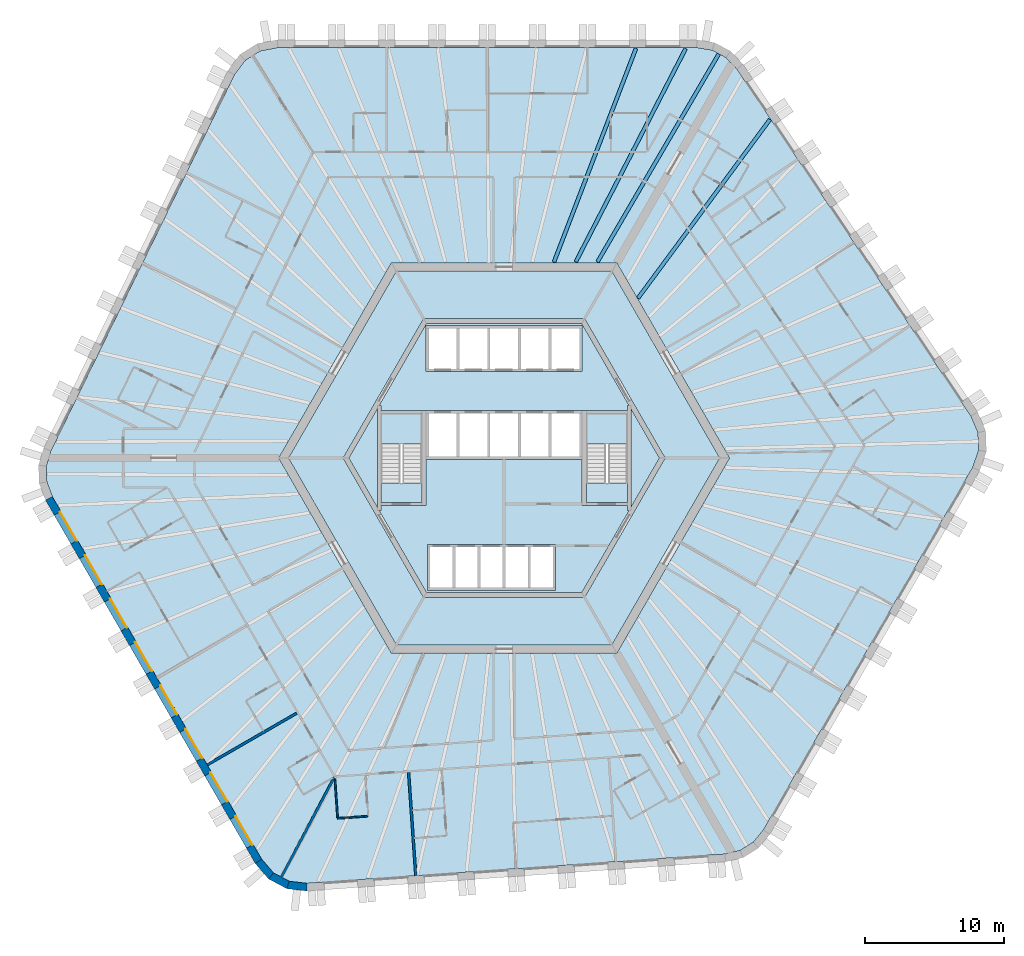
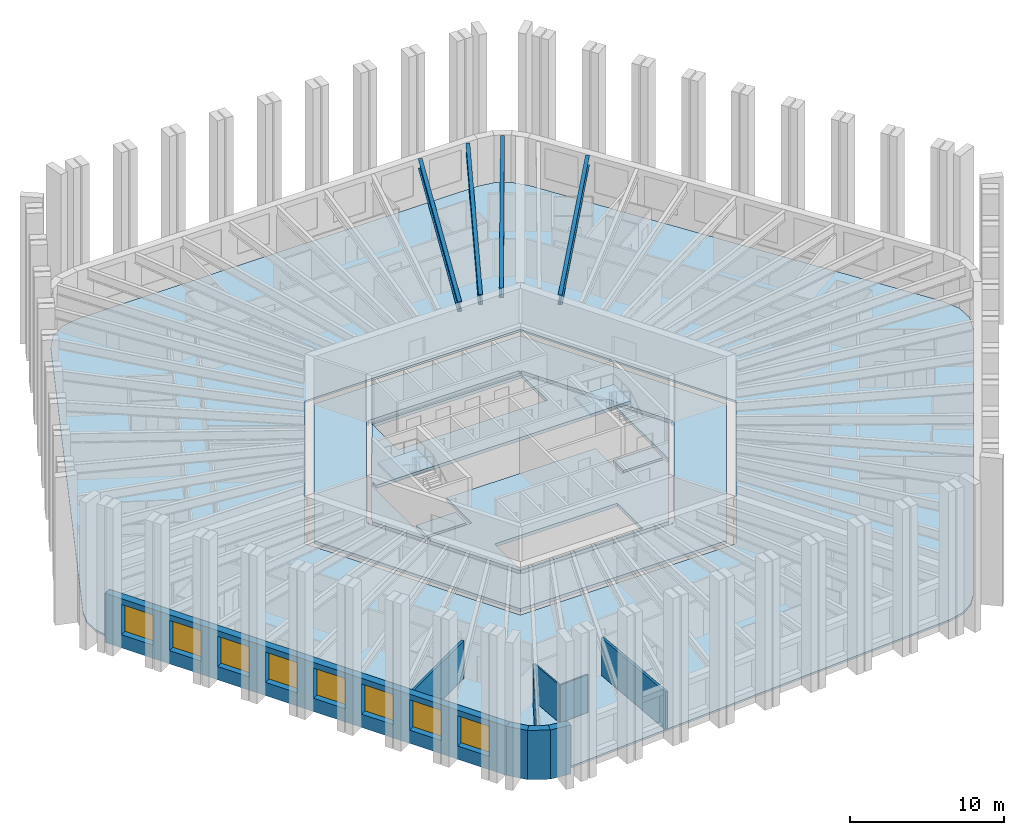
# One storey, part 2 of 13: 10 slabs, 9 walls, 8 windows, 4 beams, 8 openings, 2 elements without a shape of their own.
"""IFC4 building model written with IfcOpenShell, lengths in metres."""

from ifc_helpers import new_model, si_unit, direction, frame, frame_2d, origin, origin_2d, place, context, subcontext, project, spatial, polyline, rectangle, i_section, outline, extrude, material, layer, layer_set, material_profile, profile_set, type_object, element, fill, aggregate, save


model = new_model("IFC4")

# Units and contexts
model_context = context("Model", 3, precision=1e-05, world=origin(), true_north=direction((0.0, 1.0)))
body_context = subcontext(model_context, "Body", "Model", "MODEL_VIEW")
ifc_project = project(units=[si_unit("LENGTHUNIT", "METRE"), si_unit("AREAUNIT", "SQUARE_METRE"), si_unit("VOLUMEUNIT", "CUBIC_METRE"), si_unit("PLANEANGLEUNIT", "RADIAN"), si_unit("MASSUNIT", "GRAM", prefix="KILO")], contexts=[model_context])

# Site, building, storey
site_placement = place(None, origin())
site = spatial("IfcSite", under=ifc_project, at=site_placement, CompositionType="ELEMENT")
building_placement = place(site_placement, origin())
building = spatial("IfcBuilding", under=site, at=building_placement, Name="Tarnside Tower", CompositionType="ELEMENT")
storey_placement = place(building_placement, frame((0.0, 0.0, 123.300048828125)))
storey = spatial("IfcBuildingStorey", under=building, at=storey_placement, Name="L28", CompositionType="ELEMENT", Elevation=123.300048828125)

# Beams
ifc_material_1 = material(Name="Steel S355", Category="steel")
ifc_material_profile = material_profile(ifc_material_1, i_section(OverallWidth=0.2666015625, OverallDepth=0.76220703125, WebThickness=0.014404296875, FlangeThickness=0.021484375, FilletRadius=0.0166015625, at=origin_2d()), Name="UB 762x267x173")
ifc_profile_set = profile_set([ifc_material_profile], Name="Steel S355")
beam_type = type_object("IfcBeamType", Name="Floor beam UB 762x267x173", PredefinedType="BEAM", material=ifc_profile_set)
beam_1_placement = place(storey_placement, frame((13.0283203125, 29.37890625, 3.368896484375), z_axis=(-0.457973226459, -0.888965985765, 0.0), x_axis=(0.888965985765, -0.457973226459, 0.0)))
element("IfcBeam", 1, at=beam_1_placement, inside=storey, type_object=beam_type, Name="Floor beam F1.01", PredefinedType="BEAM", context=body_context, shape_type="SweptSolid", body=[
    extrude(i_section(OverallWidth=0.2666015625, OverallDepth=0.76220703125, WebThickness=0.014404296875, FlangeThickness=0.021484375, FilletRadius=0.0166015625, at=origin_2d()), origin(), (0.0, 0.0, 1.0), 17.219970703125),
])
beam_2_placement = place(storey_placement, frame((9.4619140625, 29.39404296875, 3.368896484375), z_axis=(-0.358299847269, -0.933606565662, 0.0), x_axis=(0.933606565662, -0.358299847269, 0.0)))
element("IfcBeam", 2, at=beam_2_placement, inside=storey, type_object=beam_type, Name="Floor beam F1.02", PredefinedType="BEAM", context=body_context, shape_type="SweptSolid", body=[
    extrude(i_section(OverallWidth=0.2666015625, OverallDepth=0.76220703125, WebThickness=0.014404296875, FlangeThickness=0.021484375, FilletRadius=0.0166015625, at=origin_2d()), origin(), (0.0, 0.0, 1.0), 16.428955078125),
])
beam_3_placement = place(storey_placement, frame((19.072021484375, 24.28857421875, 3.368896484375), z_axis=(-0.593986893499, -0.804474717037, 0.0), x_axis=(0.804474717037, -0.593986893499, 0.0)))
element("IfcBeam", 3, at=beam_3_placement, inside=storey, type_object=beam_type, Name="Floor beam F6.08", PredefinedType="BEAM", context=body_context, shape_type="SweptSolid", body=[
    extrude(i_section(OverallWidth=0.2666015625, OverallDepth=0.76220703125, WebThickness=0.014404296875, FlangeThickness=0.021484375, FilletRadius=0.0166015625, at=origin_2d()), origin(), (0.0, 0.0, 1.0), 15.934326171875),
])
beam_4_placement = place(storey_placement, frame((15.4013671875, 28.990478515625, 3.368896484375), z_axis=(-0.503858723096, -0.863786077198, 0.0), x_axis=(0.863786077198, -0.503858723096, 0.0)))
element("IfcBeam", 4, at=beam_4_placement, inside=storey, type_object=beam_type, Name="Floor beam C6", PredefinedType="BEAM", context=body_context, shape_type="SweptSolid", body=[
    extrude(i_section(OverallWidth=0.2666015625, OverallDepth=0.76220703125, WebThickness=0.014404296875, FlangeThickness=0.021484375, FilletRadius=0.0166015625, at=origin_2d()), origin(), (0.0, 0.0, 1.0), 17.2744140625),
])

# Slabs
ifc_material_2 = material(Name="Concrete C35/45", Category="concrete")
ifc_layer_1 = layer(ifc_material_2, 0.14990234375)
ifc_layer_set_1 = layer_set([ifc_layer_1], Name="Composite floor slab 150")
slab_type_1 = type_object("IfcSlabType", Name="Composite floor slab 150", PredefinedType="FLOOR", material=ifc_layer_set_1)
slab_1_placement = place(storey_placement, frame((0.0, 0.0, -0.150146484375)))
element("IfcSlab", 5, at=slab_1_placement, inside=storey, type_object=slab_type_1, Name="Floor slab L28", PredefinedType="FLOOR", context=body_context, shape_type="SweptSolid", body=[
    extrude(outline(polyline([(14.927490234375, 29.264892578125), (15.91455078125, 28.740234375), (16.697265625, 27.91064453125), (33.48583984375, 3.0205078125), (34.001220703125, 1.825439453125), (34.0458984375, 0.55078125), (33.614990234375, -0.67724609375), (18.603515625, -26.677978515625), (17.880615234375, -27.56005859375), (16.9326171875, -28.15234375), (15.82275390625, -28.41552734375), (-14.127197265625, -30.509765625), (-15.419921875, -30.358642578125), (-16.5458984375, -29.760009765625), (-17.39404296875, -28.772705078125), (-32.405517578125, -2.772216796875), (-32.80810546875, -1.704833984375), (-32.846923828125, -0.587890625), (-32.52001953125, 0.5048828125), (-19.358642578125, 27.4892578125), (-18.58154296875, 28.533203125), (-17.5, 29.208984375), (-16.220947265625, 29.449951171875), (13.802001953125, 29.449951171875), (14.927490234375, 29.264892578125)]), holes=[polyline([(-16.165771484375, 0.0), (-8.0830078125, -14.0), (8.0830078125, -14.0), (16.165771484375, 0.0), (8.0830078125, 14.0), (-8.0830078125, 14.0), (-16.165771484375, 0.0)])]), origin(), (0.0, 0.0, 1.0), 0.150146484375),
])
ifc_material_3 = material(Name="Concrete C40/50", Category="concrete")
ifc_layer_2 = layer(ifc_material_3, 0.25)
ifc_layer_set_2 = layer_set([ifc_layer_2], Name="Core slab C40/50")
slab_type_2 = type_object("IfcSlabType", Name="Core slab C40/50", PredefinedType="FLOOR", material=ifc_layer_set_2)
slab_2_placement = place(storey_placement, frame((0.0, 0.0, -0.25)))
element("IfcSlab", 6, at=slab_2_placement, inside=storey, type_object=slab_type_2, Name="L28 core floor slab 1", PredefinedType="FLOOR", context=body_context, shape_type="SweptSolid", body=[
    extrude(outline(polyline([(-15.472900390625, 0.0), (-7.736572265625, 13.39990234375), (7.736572265625, 13.39990234375), (15.472900390625, 0.0), (7.736572265625, -13.39990234375), (-7.736572265625, -13.39990234375), (-15.472900390625, 0.0)]), holes=[polyline([(5.823974609375, -9.91259765625), (11.49658203125, -0.08740234375), (11.344970703125, 0.0), (11.49658203125, 0.08740234375), (5.823974609375, 9.91259765625), (5.672607421875, 9.824951171875), (5.672607421875, 10.0), (-5.672607421875, 10.0), (-5.672607421875, 9.824951171875), (-5.823974609375, 9.91259765625), (-11.49658203125, 0.08740234375), (-11.344970703125, 0.0), (-11.49658203125, -0.08740234375), (-5.823974609375, -9.91259765625), (-5.672607421875, -9.824951171875), (-5.672607421875, -10.0), (5.672607421875, -10.0), (5.672607421875, -9.824951171875), (5.823974609375, -9.91259765625)])]), origin(), (0.0, 0.0, 1.0), 0.25),
])
slab_3_placement = place(storey_placement, frame((0.0, 0.0, -0.25)))
element("IfcSlab", 7, at=slab_3_placement, inside=storey, type_object=slab_type_2, Name="L28 core floor slab 2", PredefinedType="FLOOR", context=body_context, shape_type="SweptSolid", body=[
    extrude(outline(polyline([(-8.97509765625, 3.7548828125), (-5.5712890625, 9.64990234375), (5.5712890625, 9.64990234375), (8.97509765625, 3.7548828125), (8.85009765625, 3.7548828125), (8.85009765625, 3.39990234375), (5.89990234375, 3.39990234375), (5.60009765625, 3.39990234375), (5.60009765625, 3.39990234375), (-5.60009765625, 3.39990234375), (-5.89990234375, 3.39990234375), (-8.85009765625, 3.39990234375), (-8.85009765625, 3.7548828125), (-8.97509765625, 3.7548828125)]), holes=[polyline([(-5.60009765625, 6.199951171875), (5.60009765625, 6.199951171875), (5.60009765625, 6.39990234375), (5.60009765625, 9.300048828125), (5.60009765625, 9.5), (-5.60009765625, 9.5), (-5.60009765625, 9.300048828125), (-5.60009765625, 6.39990234375), (-5.60009765625, 6.199951171875)])]), origin(), (0.0, 0.0, 1.0), 0.25),
])
slab_4_placement = place(storey_placement, frame((0.0, 0.0, -0.25)))
element("IfcSlab", 8, at=slab_4_placement, inside=storey, type_object=slab_type_2, Name="L28 core floor slab 3", PredefinedType="FLOOR", context=body_context, shape_type="SweptSolid", body=[
    extrude(outline(polyline([(5.60009765625, -3.39990234375), (5.89990234375, -3.39990234375), (8.85009765625, -3.39990234375), (8.85009765625, -3.7548828125), (8.97509765625, -3.7548828125), (5.5712890625, -9.64990234375), (-5.5712890625, -9.64990234375), (-8.97509765625, -3.7548828125), (-8.85009765625, -3.7548828125), (-8.85009765625, -3.39990234375), (-5.89990234375, -3.39990234375), (-5.60009765625, -3.39990234375), (-5.60009765625, -0.10009765625), (5.60009765625, -0.10009765625), (5.60009765625, -3.39990234375)]), holes=[polyline([(-5.5, -9.300048828125), (-5.5, -9.5), (3.699951171875, -9.5), (3.699951171875, -9.300048828125), (3.699951171875, -6.39990234375), (3.699951171875, -6.199951171875), (-5.5, -6.199951171875), (-5.5, -6.39990234375), (-5.5, -9.300048828125)])]), origin(), (0.0, 0.0, 1.0), 0.25),
])
slab_5_placement = place(storey_placement, frame((0.0, 0.0, -0.25)))
element("IfcSlab", 9, at=slab_5_placement, inside=storey, type_object=slab_type_2, Name="L28 core floor slab 4", PredefinedType="FLOOR", context=body_context, shape_type="SweptSolid", body=[
    extrude(outline(polyline([(-11.142822265625, 0.0), (-9.10009765625, 3.538330078125), (-9.10009765625, -3.538330078125), (-11.142822265625, 0.0)])), origin(), (0.0, 0.0, 1.0), 0.25),
])
slab_6_placement = place(storey_placement, frame((0.0, 0.0, -0.25)))
element("IfcSlab", 10, at=slab_6_placement, inside=storey, type_object=slab_type_2, Name="L28 core floor slab 5", PredefinedType="FLOOR", context=body_context, shape_type="SweptSolid", body=[
    extrude(outline(polyline([(-8.85009765625, -1.800048828125), (-5.89990234375, -1.800048828125), (-5.89990234375, -3.199951171875), (-8.85009765625, -3.199951171875), (-8.85009765625, -1.800048828125)])), origin(), (0.0, 0.0, 1.0), 0.25),
])
slab_7_placement = place(storey_placement, frame((0.0, 0.0, -0.25)))
element("IfcSlab", 11, at=slab_7_placement, inside=storey, type_object=slab_type_2, Name="L28 core floor slab 6", PredefinedType="FLOOR", context=body_context, shape_type="SweptSolid", body=[
    extrude(outline(polyline([(5.89990234375, -3.199951171875), (5.89990234375, -1.800048828125), (8.85009765625, -1.800048828125), (8.85009765625, -3.199951171875), (5.89990234375, -3.199951171875)])), origin(), (0.0, 0.0, 1.0), 0.25),
])
slab_8_placement = place(storey_placement, frame((0.0, 0.0, -0.25)))
element("IfcSlab", 12, at=slab_8_placement, inside=storey, type_object=slab_type_2, Name="L28 core floor slab 7", PredefinedType="FLOOR", context=body_context, shape_type="SweptSolid", body=[
    extrude(outline(polyline([(9.10009765625, -3.538330078125), (9.10009765625, 3.538330078125), (11.142822265625, 0.0), (9.10009765625, -3.538330078125)])), origin(), (0.0, 0.0, 1.0), 0.25),
])

# Stair, slab
stair_type = type_object("IfcStairType", Name="Exit stair 1400 clear", PredefinedType="HALF_TURN_STAIR", material=ifc_material_3)
stair_1_placement = place(storey_placement, origin())
stair_1 = element("IfcStair", 13, at=stair_1_placement, inside=storey, type_object=stair_type, Name="L28 Exit stair 1", PredefinedType="HALF_TURN_STAIR")
ifc_layer_3 = layer(ifc_material_3, 0.199951171875)
ifc_layer_set_3 = layer_set([ifc_layer_3], Name="Stair landing 200 C40/50")
slab_type_3 = type_object("IfcSlabType", Name="Stair landing 200 C40/50", PredefinedType="LANDING", material=ifc_layer_set_3)
slab_9_placement = place(storey_placement, frame((0.0, 0.0, 1.75)))
slab_9 = element("IfcSlab", 14, at=slab_9_placement, type_object=slab_type_3, Name="ST1 landing 1", PredefinedType="LANDING", context=body_context, shape_type="SweptSolid", body=[
    extrude(outline(polyline([(8.85009765625, 1.0), (8.85009765625, 3.199951171875), (5.89990234375, 3.199951171875), (5.89990234375, 1.0), (8.85009765625, 1.0)])), origin(), (0.0, 0.0, 1.0), 0.199951171875),
])
aggregate(stair_1, [slab_9])

stair_2_placement = place(storey_placement, origin())
stair_2 = element("IfcStair", 15, at=stair_2_placement, inside=storey, type_object=stair_type, Name="L28 Exit stair 2", PredefinedType="HALF_TURN_STAIR")
slab_10_placement = place(storey_placement, frame((0.0, 0.0, 1.75)))
slab_10 = element("IfcSlab", 16, at=slab_10_placement, type_object=slab_type_3, Name="ST2 landing 1", PredefinedType="LANDING", context=body_context, shape_type="SweptSolid", body=[
    extrude(outline(polyline([(-5.89990234375, 1.0), (-5.89990234375, 3.199951171875), (-8.85009765625, 3.199951171875), (-8.85009765625, 1.0), (-5.89990234375, 1.0)])), origin(), (0.0, 0.0, 1.0), 0.199951171875),
])
aggregate(stair_2, [slab_10])

# Walls
ifc_material_4 = material(Name="Gypsum board partition on steel studs", Category="steel")
ifc_layer_4 = layer(ifc_material_4, 0.10009765625)
ifc_layer_set_4 = layer_set([ifc_layer_4], Name="Bathroom wall 100")
wall_type_1 = type_object("IfcWallType", Name="Bathroom wall 100", PredefinedType="PARTITIONING", material=ifc_layer_set_4)
wall_1_placement = place(storey_placement, frame((-9.79736328125, -25.696044921875, 0.0), z_axis=(0.0, 0.0, 1.0), x_axis=(-0.997566475845, -0.069721777595, 0.0)))
element("IfcWall", 17, at=wall_1_placement, inside=storey, type_object=wall_type_1, Name="Bathroom wall 09127", PredefinedType="PARTITIONING", context=body_context, shape_type="SweptSolid", body=[
    extrude(rectangle(XDim=2.14990234375, YDim=0.10009765625, at=frame_2d((1.074951171875, 0.0))), origin(), (0.0, 0.0, 1.0), 2.98779296875),
])
wall_2_placement = place(storey_placement, frame((-11.945556640625, -25.796142578125, 0.0), z_axis=(0.0, 0.0, 1.0), x_axis=(-0.069754817075, 0.997564166104, 0.0)))
element("IfcWall", 18, at=wall_2_placement, inside=storey, type_object=wall_type_1, Name="Bathroom wall 09128", PredefinedType="PARTITIONING", context=body_context, shape_type="SweptSolid", body=[
    extrude(rectangle(XDim=2.779052734375, YDim=0.10009765625, at=frame_2d((1.3896484375, 0.0))), origin(), (0.0, 0.0, 1.0), 2.98779296875),
])
ifc_layer_5 = layer(ifc_material_4, 0.179931640625)
ifc_layer_set_5 = layer_set([ifc_layer_5], Name="Demising wall 180 EI 60")
wall_type_2 = type_object("IfcWallType", Name="Demising wall 180 EI 60", PredefinedType="PARTITIONING", material=ifc_layer_set_5)
wall_3_placement = place(storey_placement, frame((-21.298828125, -22.00927734375, 0.0), z_axis=(0.0, 0.0, 1.0), x_axis=(0.866014745021, 0.500018461065, 0.0)))
element("IfcWall", 19, at=wall_3_placement, inside=storey, type_object=wall_type_2, Name="Demising wall 09120", PredefinedType="PARTITIONING", context=body_context, shape_type="SweptSolid", body=[
    extrude(rectangle(XDim=7.425048828125, YDim=0.179931640625, at=frame_2d((3.71240234375, 0.0))), origin(), (0.0, 0.0, 1.0), 2.98779296875),
])
wall_4_placement = place(storey_placement, frame((-15.98291015625, -30.059326171875, 0.0), z_axis=(0.0, 0.0, 1.0), x_axis=(0.469476547643, 0.882944942346, 0.0)))
element("IfcWall", 20, at=wall_4_placement, inside=storey, type_object=wall_type_2, Name="Demising wall 09125", PredefinedType="PARTITIONING", context=body_context, shape_type="SweptSolid", body=[
    extrude(rectangle(XDim=8.072998046875, YDim=0.179931640625, at=frame_2d((4.03662109375, 0.0))), origin(), (0.0, 0.0, 1.0), 2.98779296875),
])
wall_5_placement = place(storey_placement, frame((-6.336181640625, -29.965087890625, 0.0), z_axis=(0.0, 0.0, 1.0), x_axis=(-0.06977252161, 0.997562927954, 0.0)))
element("IfcWall", 21, at=wall_5_placement, inside=storey, type_object=wall_type_2, Name="Demising wall 09129", PredefinedType="PARTITIONING", context=body_context, shape_type="SweptSolid", body=[
    extrude(rectangle(XDim=7.425048828125, YDim=0.179931640625, at=frame_2d((3.71240234375, 0.0))), origin(), (0.0, 0.0, 1.0), 2.98779296875),
])

# Wall, openings, windows
ifc_material_5 = material(Name="Facing brick", Category="masonry")
ifc_layer_6 = layer(ifc_material_5, 0.10205078125)
ifc_material_6 = material(Name="Concrete C60/75 precast", Category="concrete")
ifc_layer_7 = layer(ifc_material_6, 0.347900390625)
ifc_material_7 = material(Name="Mineral wool insulation")
ifc_layer_8 = layer(ifc_material_7, 0.10009765625)
ifc_layer_set_6 = layer_set([ifc_layer_6, ifc_layer_7, ifc_layer_8], Name="Tube wall 550 brick faced")
wall_type_3 = type_object("IfcWallType", Name="Tube wall 550 brick faced", PredefinedType="SOLIDWALL", material=ifc_layer_set_6)
wall_6_placement = place(storey_placement, frame((-32.65478515625, -2.89013671875, -0.150146484375), z_axis=(0.0, 0.0, 1.0), x_axis=(0.499997711317, -0.866026725152, 0.0)))
wall_6 = element("IfcWall", 22, at=wall_6_placement, inside=storey, type_object=wall_type_3, Name="Tube wall L28 F3 flush 08", PredefinedType="SOLIDWALL", context=body_context, shape_type="SweptSolid", body=[
    extrude(outline(polyline([(-0.0224609375, -0.27490234375), (30.0966796875, -0.27490234375), (30.04541015625, 0.27490234375), (0.0224609375, 0.27490234375), (-0.0224609375, -0.27490234375)])), origin(), (0.0, 0.0, 1.0), 3.900146484375),
])
opening_1_placement = place(wall_6_placement, frame((1.235595703125, 0.0, 1.050048828125)))
opening_1 = element("IfcOpeningElement", 23, at=opening_1_placement, cuts=wall_6, Name="Opening WH", PredefinedType="OPENING", context=body_context, shape_type="SweptSolid", body=[
    extrude(rectangle(XDim=2.39990234375, YDim=2.39990234375, at=frame_2d((1.199951171875, 1.199951171875))), frame((0.0, 0.28515625, 0.0), z_axis=(0.0, -1.0, 0.0), x_axis=(1.0, 0.0, 0.0)), (0.0, 0.0, 1.0), 0.570068359375),
])
opening_2_placement = place(wall_6_placement, frame((4.83544921875, 0.0, 1.050048828125)))
opening_2 = element("IfcOpeningElement", 24, at=opening_2_placement, cuts=wall_6, Name="Opening WH", PredefinedType="OPENING", context=body_context, shape_type="SweptSolid", body=[
    extrude(rectangle(XDim=2.39990234375, YDim=2.39990234375, at=frame_2d((1.199951171875, 1.199951171875))), frame((0.0, 0.28515625, 0.0), z_axis=(0.0, -1.0, 0.0), x_axis=(1.0, 0.0, 0.0)), (0.0, 0.0, 1.0), 0.570068359375),
])
opening_3_placement = place(wall_6_placement, frame((8.435546875, 0.0, 1.050048828125)))
opening_3 = element("IfcOpeningElement", 25, at=opening_3_placement, cuts=wall_6, Name="Opening WH", PredefinedType="OPENING", context=body_context, shape_type="SweptSolid", body=[
    extrude(rectangle(XDim=2.39990234375, YDim=2.39990234375, at=frame_2d((1.199951171875, 1.199951171875))), frame((0.0, 0.28515625, 0.0), z_axis=(0.0, -1.0, 0.0), x_axis=(1.0, 0.0, 0.0)), (0.0, 0.0, 1.0), 0.570068359375),
])
opening_4_placement = place(wall_6_placement, frame((12.035400390625, 0.0, 1.050048828125)))
opening_4 = element("IfcOpeningElement", 26, at=opening_4_placement, cuts=wall_6, Name="Opening WH", PredefinedType="OPENING", context=body_context, shape_type="SweptSolid", body=[
    extrude(rectangle(XDim=2.39990234375, YDim=2.39990234375, at=frame_2d((1.199951171875, 1.199951171875))), frame((0.0, 0.28515625, 0.0), z_axis=(0.0, -1.0, 0.0), x_axis=(1.0, 0.0, 0.0)), (0.0, 0.0, 1.0), 0.570068359375),
])
opening_5_placement = place(wall_6_placement, frame((15.635498046875, 0.0, 1.050048828125)))
opening_5 = element("IfcOpeningElement", 27, at=opening_5_placement, cuts=wall_6, Name="Opening WH", PredefinedType="OPENING", context=body_context, shape_type="SweptSolid", body=[
    extrude(rectangle(XDim=2.39990234375, YDim=2.39990234375, at=frame_2d((1.199951171875, 1.199951171875))), frame((0.0, 0.28515625, 0.0), z_axis=(0.0, -1.0, 0.0), x_axis=(1.0, 0.0, 0.0)), (0.0, 0.0, 1.0), 0.570068359375),
])
opening_6_placement = place(wall_6_placement, frame((19.235595703125, 0.0, 1.050048828125)))
opening_6 = element("IfcOpeningElement", 28, at=opening_6_placement, cuts=wall_6, Name="Opening WH", PredefinedType="OPENING", context=body_context, shape_type="SweptSolid", body=[
    extrude(rectangle(XDim=2.39990234375, YDim=2.39990234375, at=frame_2d((1.199951171875, 1.199951171875))), frame((0.0, 0.28515625, 0.0), z_axis=(0.0, -1.0, 0.0), x_axis=(1.0, 0.0, 0.0)), (0.0, 0.0, 1.0), 0.570068359375),
])
opening_7_placement = place(wall_6_placement, frame((22.83544921875, 0.0, 1.050048828125)))
opening_7 = element("IfcOpeningElement", 29, at=opening_7_placement, cuts=wall_6, Name="Opening WH", PredefinedType="OPENING", context=body_context, shape_type="SweptSolid", body=[
    extrude(rectangle(XDim=2.39990234375, YDim=2.39990234375, at=frame_2d((1.199951171875, 1.199951171875))), frame((0.0, 0.28515625, 0.0), z_axis=(0.0, -1.0, 0.0), x_axis=(1.0, 0.0, 0.0)), (0.0, 0.0, 1.0), 0.570068359375),
])
opening_8_placement = place(wall_6_placement, frame((26.435546875, 0.0, 1.050048828125)))
opening_8 = element("IfcOpeningElement", 30, at=opening_8_placement, cuts=wall_6, Name="Opening WH", PredefinedType="OPENING", context=body_context, shape_type="SweptSolid", body=[
    extrude(rectangle(XDim=2.39990234375, YDim=2.39990234375, at=frame_2d((1.199951171875, 1.199951171875))), frame((0.0, 0.28515625, 0.0), z_axis=(0.0, -1.0, 0.0), x_axis=(1.0, 0.0, 0.0)), (0.0, 0.0, 1.0), 0.570068359375),
])
ifc_material_8 = material(Name="Aluminium-framed double glazing", Category="aluminium")
window_type = type_object("IfcWindowType", Name="Hotel window 2400 x 2400", PartitioningType="DOUBLE_PANEL_VERTICAL", PredefinedType="WINDOW", material=ifc_material_8)
window_1_placement = place(opening_1_placement, frame((0.0, 0.205078125, 0.0)))
window_1 = element("IfcWindow", 31, at=window_1_placement, inside=storey, type_object=window_type, Name="E.WN.L28.F3.00", OverallHeight=2.39990234375, OverallWidth=2.39990234375, PartitioningType="DOUBLE_PANEL_VERTICAL", PredefinedType="WINDOW", context=body_context, shape_type="SweptSolid", body=[
    extrude(rectangle(XDim=2.39990234375, YDim=2.39990234375, at=frame_2d((1.199951171875, 1.199951171875))), frame((0.0, 0.030029296875, 0.0), z_axis=(0.0, -1.0, 0.0), x_axis=(1.0, 0.0, 0.0)), (0.0, 0.0, 1.0), 0.06005859375),
])
fill(opening_1, window_1)
window_2_placement = place(opening_2_placement, frame((0.0, 0.205078125, 0.0)))
window_2 = element("IfcWindow", 32, at=window_2_placement, inside=storey, type_object=window_type, Name="E.WN.L28.F3.01", OverallHeight=2.39990234375, OverallWidth=2.39990234375, PartitioningType="DOUBLE_PANEL_VERTICAL", PredefinedType="WINDOW", context=body_context, shape_type="SweptSolid", body=[
    extrude(rectangle(XDim=2.39990234375, YDim=2.39990234375, at=frame_2d((1.199951171875, 1.199951171875))), frame((0.0, 0.030029296875, 0.0), z_axis=(0.0, -1.0, 0.0), x_axis=(1.0, 0.0, 0.0)), (0.0, 0.0, 1.0), 0.06005859375),
])
fill(opening_2, window_2)
window_3_placement = place(opening_3_placement, frame((0.0, 0.205078125, 0.0)))
window_3 = element("IfcWindow", 33, at=window_3_placement, inside=storey, type_object=window_type, Name="E.WN.L28.F3.02", OverallHeight=2.39990234375, OverallWidth=2.39990234375, PartitioningType="DOUBLE_PANEL_VERTICAL", PredefinedType="WINDOW", context=body_context, shape_type="SweptSolid", body=[
    extrude(rectangle(XDim=2.39990234375, YDim=2.39990234375, at=frame_2d((1.199951171875, 1.199951171875))), frame((0.0, 0.030029296875, 0.0), z_axis=(0.0, -1.0, 0.0), x_axis=(1.0, 0.0, 0.0)), (0.0, 0.0, 1.0), 0.06005859375),
])
fill(opening_3, window_3)
window_4_placement = place(opening_4_placement, frame((0.0, 0.205078125, 0.0)))
window_4 = element("IfcWindow", 34, at=window_4_placement, inside=storey, type_object=window_type, Name="E.WN.L28.F3.03", OverallHeight=2.39990234375, OverallWidth=2.39990234375, PartitioningType="DOUBLE_PANEL_VERTICAL", PredefinedType="WINDOW", context=body_context, shape_type="SweptSolid", body=[
    extrude(rectangle(XDim=2.39990234375, YDim=2.39990234375, at=frame_2d((1.199951171875, 1.199951171875))), frame((0.0, 0.030029296875, 0.0), z_axis=(0.0, -1.0, 0.0), x_axis=(1.0, 0.0, 0.0)), (0.0, 0.0, 1.0), 0.06005859375),
])
fill(opening_4, window_4)
window_5_placement = place(opening_5_placement, frame((0.0, 0.205078125, 0.0)))
window_5 = element("IfcWindow", 35, at=window_5_placement, inside=storey, type_object=window_type, Name="E.WN.L28.F3.04", OverallHeight=2.39990234375, OverallWidth=2.39990234375, PartitioningType="DOUBLE_PANEL_VERTICAL", PredefinedType="WINDOW", context=body_context, shape_type="SweptSolid", body=[
    extrude(rectangle(XDim=2.39990234375, YDim=2.39990234375, at=frame_2d((1.199951171875, 1.199951171875))), frame((0.0, 0.030029296875, 0.0), z_axis=(0.0, -1.0, 0.0), x_axis=(1.0, 0.0, 0.0)), (0.0, 0.0, 1.0), 0.06005859375),
])
fill(opening_5, window_5)
window_6_placement = place(opening_6_placement, frame((0.0, 0.205078125, 0.0)))
window_6 = element("IfcWindow", 36, at=window_6_placement, inside=storey, type_object=window_type, Name="E.WN.L28.F3.05", OverallHeight=2.39990234375, OverallWidth=2.39990234375, PartitioningType="DOUBLE_PANEL_VERTICAL", PredefinedType="WINDOW", context=body_context, shape_type="SweptSolid", body=[
    extrude(rectangle(XDim=2.39990234375, YDim=2.39990234375, at=frame_2d((1.199951171875, 1.199951171875))), frame((0.0, 0.030029296875, 0.0), z_axis=(0.0, -1.0, 0.0), x_axis=(1.0, 0.0, 0.0)), (0.0, 0.0, 1.0), 0.06005859375),
])
fill(opening_6, window_6)
window_7_placement = place(opening_7_placement, frame((0.0, 0.205078125, 0.0)))
window_7 = element("IfcWindow", 37, at=window_7_placement, inside=storey, type_object=window_type, Name="E.WN.L28.F3.06", OverallHeight=2.39990234375, OverallWidth=2.39990234375, PartitioningType="DOUBLE_PANEL_VERTICAL", PredefinedType="WINDOW", context=body_context, shape_type="SweptSolid", body=[
    extrude(rectangle(XDim=2.39990234375, YDim=2.39990234375, at=frame_2d((1.199951171875, 1.199951171875))), frame((0.0, 0.030029296875, 0.0), z_axis=(0.0, -1.0, 0.0), x_axis=(1.0, 0.0, 0.0)), (0.0, 0.0, 1.0), 0.06005859375),
])
fill(opening_7, window_7)
window_8_placement = place(opening_8_placement, frame((0.0, 0.205078125, 0.0)))
window_8 = element("IfcWindow", 38, at=window_8_placement, inside=storey, type_object=window_type, Name="E.WN.L28.F3.07", OverallHeight=2.39990234375, OverallWidth=2.39990234375, PartitioningType="DOUBLE_PANEL_VERTICAL", PredefinedType="WINDOW", context=body_context, shape_type="SweptSolid", body=[
    extrude(rectangle(XDim=2.39990234375, YDim=2.39990234375, at=frame_2d((1.199951171875, 1.199951171875))), frame((0.0, 0.030029296875, 0.0), z_axis=(0.0, -1.0, 0.0), x_axis=(1.0, 0.0, 0.0)), (0.0, 0.0, 1.0), 0.06005859375),
])
fill(opening_8, window_8)

# Walls
wall_7_placement = place(storey_placement, frame((-17.619384765625, -28.932373046875, -0.150146484375), z_axis=(0.0, 0.0, 1.0), x_axis=(0.651621950847, -0.758543890078, 0.0)))
element("IfcWall", 39, at=wall_7_placement, inside=storey, type_object=wall_type_3, Name="Tube wall L28 F3 chord 09", PredefinedType="SOLIDWALL", context=body_context, shape_type="SweptSolid", body=[
    extrude(outline(polyline([(-0.025634765625, -0.27490234375), (1.430908203125, -0.27490234375), (1.327392578125, 0.27490234375), (0.025634765625, 0.27490234375), (-0.025634765625, -0.27490234375)])), origin(), (0.0, 0.0, 1.0), 3.900146484375),
])
wall_8_placement = place(storey_placement, frame((-16.720703125, -29.978515625, -0.150146484375), z_axis=(0.0, 0.0, 1.0), x_axis=(0.882994189209, -0.469383917304, 0.0)))
element("IfcWall", 40, at=wall_8_placement, inside=storey, type_object=wall_type_3, Name="Tube wall L28 F3 chord 10", PredefinedType="SOLIDWALL", context=body_context, shape_type="SweptSolid", body=[
    extrude(outline(polyline([(-0.0517578125, -0.27490234375), (1.4306640625, -0.27490234375), (1.3271484375, 0.27490234375), (0.0517578125, 0.27490234375), (-0.0517578125, -0.27490234375)])), origin(), (0.0, 0.0, 1.0), 3.900146484375),
])
wall_9_placement = place(storey_placement, frame((-15.503173828125, -30.625732421875, -0.150146484375), z_axis=(0.0, 0.0, 1.0), x_axis=(0.993232537394, -0.11614269956, 0.0)))
element("IfcWall", 41, at=wall_9_placement, inside=storey, type_object=wall_type_3, Name="Tube wall L28 F3 chord 11", PredefinedType="SOLIDWALL", context=body_context, shape_type="SweptSolid", body=[
    extrude(outline(polyline([(-0.0517578125, -0.27490234375), (1.404541015625, -0.27490234375), (1.353271484375, 0.27490234375), (0.0517578125, 0.27490234375), (-0.0517578125, -0.27490234375)])), origin(), (0.0, 0.0, 1.0), 3.900146484375),
])

save(model, "model.ifc")
